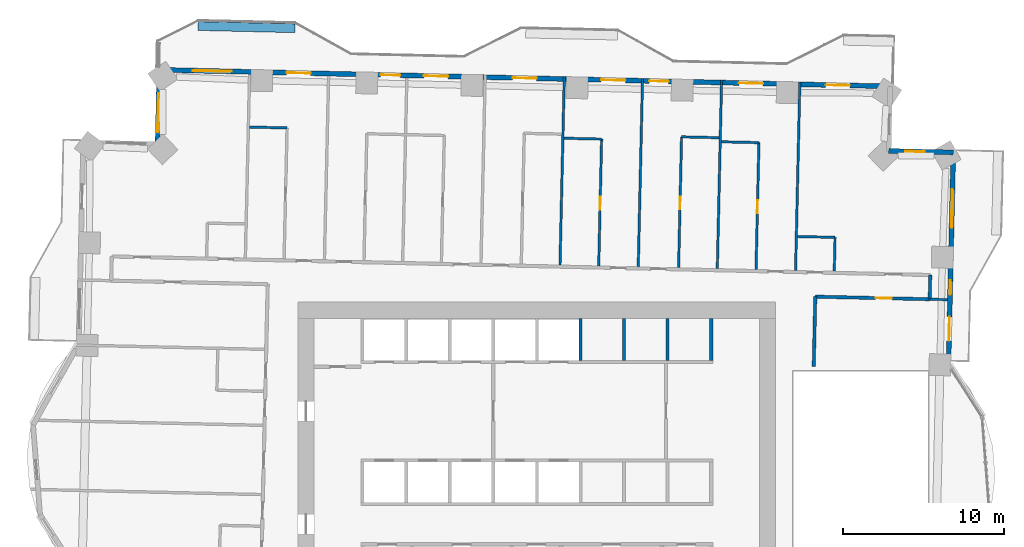
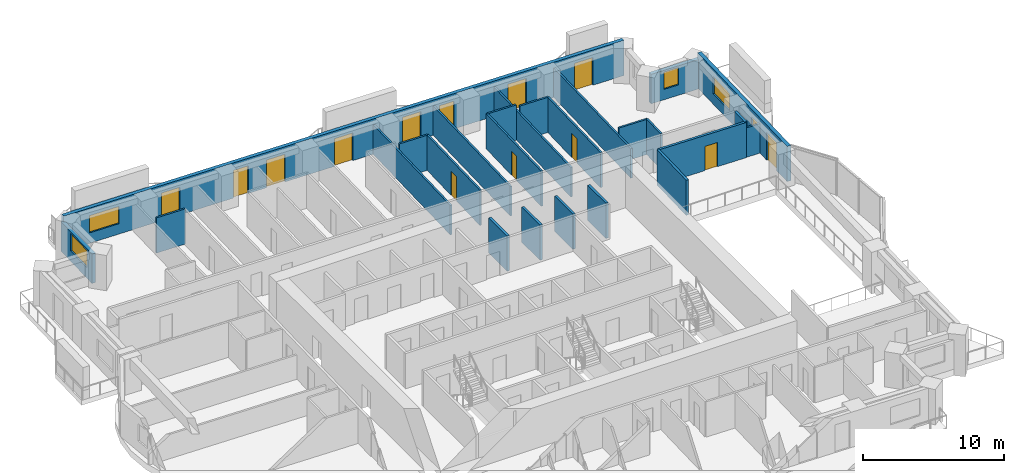
# One storey, part 11 of 16: 26 walls, 13 doors, 5 windows, 18 openings.
"""IFC4 building model written with IfcOpenShell, lengths in metres."""

from ifc_helpers import new_model, si_unit, direction, frame, frame_2d, origin, place, context, subcontext, project, spatial, rectangle, extrude, material, layer, layer_set, type_object, element, fill, save


model = new_model("IFC4")

# Units and contexts
model_context = context("Model", 3, precision=1e-05, world=origin(), true_north=direction((0.0, 1.0)))
body_context = subcontext(model_context, "Body", "Model", "MODEL_VIEW")
ifc_project = project(units=[si_unit("LENGTHUNIT", "METRE"), si_unit("AREAUNIT", "SQUARE_METRE"), si_unit("VOLUMEUNIT", "CUBIC_METRE"), si_unit("PLANEANGLEUNIT", "RADIAN"), si_unit("MASSUNIT", "GRAM", prefix="KILO")], contexts=[model_context])

# Site, building, storey
site_placement = place(None, origin())
site = spatial("IfcSite", under=ifc_project, at=site_placement, CompositionType="ELEMENT")
building_placement = place(site_placement, origin())
building = spatial("IfcBuilding", under=site, at=building_placement, Name="Mangrove Gate Tower", CompositionType="ELEMENT")
storey_placement = place(building_placement, frame((0.0, 0.0, 116.300048828125)))
storey = spatial("IfcBuildingStorey", under=building, at=storey_placement, Name="L29", CompositionType="ELEMENT", Elevation=116.300048828125)

# Walls
ifc_material_1 = material(Name="Concrete C70/85", Category="concrete")
ifc_layer_1 = layer(ifc_material_1, 0.199951171875)
ifc_layer_set_1 = layer_set([ifc_layer_1], Name="Core shaft wall 200 C70/85")
wall_type_1 = type_object("IfcWallType", Name="Core shaft wall 200 C70/85", PredefinedType="SHEAR", material=ifc_layer_set_1)
for number, where, z_axis, x_axis, name in (
    (1, (2.699951171875, 8.199951171875, 0.0), (0.0, 0.0, 1.0), (0.0, 1.0, 0.0), "WALL-L29-CORE-33"),
    (2, (5.39990234375, 8.199951171875, 0.0), (0.0, 0.0, 1.0), (0.0, 1.0, 0.0), "WALL-L29-CORE-34"),
    (3, (8.10009765625, 8.199951171875, 0.0), (0.0, 0.0, 1.0), (0.0, 1.0, 0.0), "WALL-L29-CORE-35"),
    (4, (10.800048828125, 8.199951171875, 0.0), (0.0, 0.0, 1.0), (0.0, 1.0, 0.0), "WALL-L29-CORE-36"),
):
    element("IfcWall", number, at=place(storey_placement, frame(where, z_axis=z_axis, x_axis=x_axis)), inside=storey, type_object=wall_type_1, Name=name, PredefinedType="SHEAR", context=body_context, shape_type="SweptSolid", body=[
        extrude(rectangle(XDim=2.60009765625, YDim=0.199951171875, at=frame_2d((1.300048828125, 0.0))), origin(), (0.0, 0.0, 1.0), 3.050048828125),
    ])
ifc_material_2 = material(Name="Gypsum board on steel stud, EI 60", Category="steel")
ifc_layer_2 = layer(ifc_material_2, 0.199951171875)
ifc_layer_set_2 = layer_set([ifc_layer_2], Name="Corridor wall EI 60")
wall_type_2 = type_object("IfcWallType", Name="Corridor wall EI 60", PredefinedType="PARTITIONING", material=ifc_layer_set_2)
wall_1_placement = place(storey_placement, frame((17.155029296875, 7.81396484375, 0.0), z_axis=(0.0, 0.0, 1.0), x_axis=(0.022578158225, 0.999745080894, 0.0)))
element("IfcWall", 5, at=wall_1_placement, inside=storey, type_object=wall_type_2, Name="WALL-L29-043", PredefinedType="PARTITIONING", context=body_context, shape_type="SweptSolid", body=[
    extrude(rectangle(XDim=4.336181640625, YDim=0.199951171875, at=frame_2d((2.16796875, 0.0))), origin(), (0.0, 0.0, 1.0), 3.050048828125),
])

# Wall, opening, door
wall_2_placement = place(storey_placement, frame((17.248046875, 12.14501953125, 0.0), z_axis=(0.0, 0.0, 1.0), x_axis=(0.999742350192, -0.022698749566, 0.0)))
wall_2 = element("IfcWall", 6, at=wall_2_placement, inside=storey, type_object=wall_type_2, Name="WALL-L29-047", PredefinedType="PARTITIONING", context=body_context, shape_type="SweptSolid", body=[
    extrude(rectangle(XDim=7.0986328125, YDim=0.199951171875, at=frame_2d((3.54931640625, 0.0))), origin(), (0.0, 0.0, 1.0), 3.050048828125),
])
opening_1_placement = place(wall_2_placement, frame((3.75, 0.0, 0.0)))
opening_1 = element("IfcOpeningElement", 7, at=opening_1_placement, cuts=wall_2, Name="Opening AD", PredefinedType="OPENING", context=body_context, shape_type="SweptSolid", body=[
    extrude(rectangle(XDim=1.0, YDim=2.10009765625, at=frame_2d((0.5, 1.050048828125))), frame((0.0, 0.10986328125, 0.0), z_axis=(0.0, -1.0, 0.0), x_axis=(1.0, 0.0, 0.0)), (0.0, 0.0, 1.0), 0.219970703125),
])
ifc_material_3 = material(Name="Timber door leaf", Category="wood")
door_type_1 = type_object("IfcDoorType", Name="Amenity door 1000", OperationType="SINGLE_SWING_LEFT", PredefinedType="DOOR", material=ifc_material_3)
door_1_placement = place(opening_1_placement, origin())
door_1 = element("IfcDoor", 8, at=door_1_placement, inside=storey, type_object=door_type_1, Name="DOOR-L29-LNG-c3a", OperationType="SINGLE_SWING_RIGHT", OverallHeight=2.10009765625, OverallWidth=1.0, PredefinedType="DOOR", context=body_context, shape_type="SweptSolid", body=[
    extrude(rectangle(XDim=1.0, YDim=2.10009765625, at=frame_2d((0.5, 1.050048828125))), frame((0.0, 0.02490234375, 0.0), z_axis=(0.0, -1.0, 0.0), x_axis=(1.0, 0.0, 0.0)), (0.0, 0.0, 1.0), 0.050048828125),
])
fill(opening_1, door_1)

# Wall
wall_3_placement = place(storey_placement, frame((24.341064453125, 11.988037109375, 0.0), z_axis=(0.0, 0.0, 1.0), x_axis=(0.022617910375, 0.999744182344, 0.0)))
element("IfcWall", 9, at=wall_3_placement, inside=storey, type_object=wall_type_2, Name="WALL-L29-050", PredefinedType="PARTITIONING", context=body_context, shape_type="SweptSolid", body=[
    extrude(rectangle(XDim=1.50048828125, YDim=0.199951171875, at=frame_2d((0.750244140625, 0.0))), origin(), (0.0, 0.0, 1.0), 3.050048828125),
])

# Wall, openings, door, windows
ifc_material_4 = material(Name="Limestone", Category="masonry")
ifc_layer_3 = layer(ifc_material_4, 0.0400390625, Name="Limestone cladding")
ifc_material_5 = material(Name="Ventilated air gap")
ifc_layer_4 = layer(ifc_material_5, 0.0400390625, Name="Ventilated cavity")
ifc_material_6 = material(Name="Mineral wool insulation")
ifc_layer_5 = layer(ifc_material_6, 0.06005859375, Name="Insulation")
ifc_material_7 = material(Name="Breather membrane")
ifc_layer_6 = layer(ifc_material_7, 0.001953125, Name="Breather membrane")
ifc_material_8 = material(Name="Concrete C20/25 blockwork", Category="masonry")
ifc_layer_7 = layer(ifc_material_8, 0.14990234375, Name="Blockwork backing wall")
ifc_material_9 = material(Name="Gypsum plaster")
ifc_layer_8 = layer(ifc_material_9, 0.008056640625, Name="Internal plaster")
ifc_layer_set_3 = layer_set([ifc_layer_3, ifc_layer_4, ifc_layer_5, ifc_layer_6, ifc_layer_7, ifc_layer_8], Name="External wall 300 limestone cladding")
wall_type_3 = type_object("IfcWallType", Name="External wall 300 limestone cladding", PredefinedType="SOLIDWALL", material=ifc_layer_set_3)
wall_4_placement = place(storey_placement, frame((25.501953125, 7.85693359375, 0.0), z_axis=(0.0, 0.0, 1.0), x_axis=(0.022680323815, 0.999742768372, 0.0)))
wall_4 = element("IfcWall", 10, at=wall_4_placement, inside=storey, type_object=wall_type_3, Name="WALL-L29-E2", PredefinedType="SOLIDWALL", context=body_context, shape_type="SweptSolid", body=[
    extrude(rectangle(XDim=13.2294921875, YDim=0.300048828125, at=frame_2d((6.61474609375, 0.0))), origin(), (0.0, 0.0, 1.0), 3.050048828125),
])
opening_2_placement = place(wall_4_placement, frame((1.5419921875, 0.0, 0.0)))
opening_2 = element("IfcOpeningElement", 11, at=opening_2_placement, cuts=wall_4, Name="Opening BD1", PredefinedType="OPENING", context=body_context, shape_type="SweptSolid", body=[
    extrude(rectangle(XDim=1.5, YDim=2.39990234375, at=frame_2d((0.75, 1.199951171875))), frame((0.0, 0.159912109375, 0.0), z_axis=(0.0, -1.0, 0.0), x_axis=(1.0, 0.0, 0.0)), (0.0, 0.0, 1.0), 0.320068359375),
])
opening_3_placement = place(wall_4_placement, frame((4.403076171875, 0.0, 0.89990234375)))
opening_3 = element("IfcOpeningElement", 12, at=opening_3_placement, cuts=wall_4, Name="Opening W5", PredefinedType="OPENING", context=body_context, shape_type="SweptSolid", body=[
    extrude(rectangle(XDim=0.89990234375, YDim=1.5, at=frame_2d((0.449951171875, 0.75))), frame((0.0, 0.159912109375, 0.0), z_axis=(0.0, -1.0, 0.0), x_axis=(1.0, 0.0, 0.0)), (0.0, 0.0, 1.0), 0.320068359375),
])
opening_4_placement = place(wall_4_placement, frame((8.549072265625, 0.0, 0.89990234375)))
opening_4 = element("IfcOpeningElement", 13, at=opening_4_placement, cuts=wall_4, Name="Opening W2", PredefinedType="OPENING", context=body_context, shape_type="SweptSolid", body=[
    extrude(rectangle(XDim=2.39990234375, YDim=1.5, at=frame_2d((1.199951171875, 0.75))), frame((0.0, 0.159912109375, 0.0), z_axis=(0.0, -1.0, 0.0), x_axis=(1.0, 0.0, 0.0)), (0.0, 0.0, 1.0), 0.320068359375),
])
ifc_material_10 = material(Name="Aluminium frame with laminated clear glass", Category="aluminium")
door_type_2 = type_object("IfcDoorType", Name="Balcony sliding door 1500x2400", OperationType="SLIDING_TO_LEFT", PredefinedType="DOOR", material=ifc_material_10)
door_2_placement = place(opening_2_placement, origin())
door_2 = element("IfcDoor", 14, at=door_2_placement, inside=storey, type_object=door_type_2, Name="DOOR-L29-E2-1", OperationType="SLIDING_TO_LEFT", OverallHeight=2.39990234375, OverallWidth=1.5, PredefinedType="DOOR", context=body_context, shape_type="SweptSolid", body=[
    extrude(rectangle(XDim=1.5, YDim=2.39990234375, at=frame_2d((0.75, 1.199951171875))), frame((0.0, 0.02490234375, 0.0), z_axis=(0.0, -1.0, 0.0), x_axis=(1.0, 0.0, 0.0)), (0.0, 0.0, 1.0), 0.050048828125),
])
fill(opening_2, door_2)
ifc_material_11 = material(Name="Aluminium frame with double-glazed low-e glass", Category="aluminium")
window_type_1 = type_object("IfcWindowType", Name="Corner room window 2400x1500", PartitioningType="DOUBLE_PANEL_VERTICAL", PredefinedType="WINDOW", material=ifc_material_11)
window_1_placement = place(opening_4_placement, origin())
window_1 = element("IfcWindow", 15, at=window_1_placement, inside=storey, type_object=window_type_1, Name="WIN-L29-E2-3", OverallHeight=1.5, OverallWidth=2.39990234375, PartitioningType="DOUBLE_PANEL_VERTICAL", PredefinedType="WINDOW", context=body_context, shape_type="SweptSolid", body=[
    extrude(rectangle(XDim=2.39990234375, YDim=1.5, at=frame_2d((1.199951171875, 0.75))), frame((0.0, 0.030029296875, 0.0), z_axis=(0.0, -1.0, 0.0), x_axis=(1.0, 0.0, 0.0)), (0.0, 0.0, 1.0), 0.06005859375),
])
fill(opening_4, window_1)
ifc_material_12 = material(Name="Aluminium frame with double-glazed low-e glass", Category="aluminium")
window_type_2 = type_object("IfcWindowType", Name="Narrow window 900x1500", PartitioningType="SINGLE_PANEL", PredefinedType="WINDOW", material=ifc_material_12)
window_2_placement = place(opening_3_placement, origin())
window_2 = element("IfcWindow", 16, at=window_2_placement, inside=storey, type_object=window_type_2, Name="WIN-L29-E2-2", OverallHeight=1.5, OverallWidth=0.89990234375, PartitioningType="SINGLE_PANEL", PredefinedType="WINDOW", context=body_context, shape_type="SweptSolid", body=[
    extrude(rectangle(XDim=0.89990234375, YDim=1.5, at=frame_2d((0.449951171875, 0.75))), frame((0.0, 0.030029296875, 0.0), z_axis=(0.0, -1.0, 0.0), x_axis=(1.0, 0.0, 0.0)), (0.0, 0.0, 1.0), 0.06005859375),
])
fill(opening_3, window_2)

# Wall, opening, window
wall_5_placement = place(storey_placement, frame((25.802001953125, 21.0830078125, 0.0), z_axis=(0.0, 0.0, 1.0), x_axis=(-0.999740826251, 0.022765770952, 0.0)))
wall_5 = element("IfcWall", 17, at=wall_5_placement, inside=storey, type_object=wall_type_3, Name="WALL-L29-N3", PredefinedType="SOLIDWALL", context=body_context, shape_type="SweptSolid", body=[
    extrude(rectangle(XDim=4.0, YDim=0.300048828125, at=frame_2d((2.0, 0.0))), origin(), (0.0, 0.0, 1.0), 2.550048828125),
])
opening_5_placement = place(wall_5_placement, frame((1.763916015625, 0.0, 0.89990234375)))
opening_5 = element("IfcOpeningElement", 18, at=opening_5_placement, cuts=wall_5, Name="Opening W1", PredefinedType="OPENING", context=body_context, shape_type="SweptSolid", body=[
    extrude(rectangle(XDim=1.199951171875, YDim=1.5, at=frame_2d((0.60009765625, 0.75))), frame((0.0, 0.159912109375, 0.0), z_axis=(0.0, -1.0, 0.0), x_axis=(1.0, 0.0, 0.0)), (0.0, 0.0, 1.0), 0.320068359375),
])
ifc_material_13 = material(Name="Aluminium frame with double-glazed low-e glass", Category="aluminium")
window_type_3 = type_object("IfcWindowType", Name="Side lite 1200x1500", PartitioningType="SINGLE_PANEL", PredefinedType="WINDOW", material=ifc_material_13)
window_3_placement = place(opening_5_placement, origin())
window_3 = element("IfcWindow", 19, at=window_3_placement, inside=storey, type_object=window_type_3, Name="WIN-L29-N3-1", OverallHeight=1.5, OverallWidth=1.199951171875, PartitioningType="SINGLE_PANEL", PredefinedType="WINDOW", context=body_context, shape_type="SweptSolid", body=[
    extrude(rectangle(XDim=1.199951171875, YDim=1.5, at=frame_2d((0.60009765625, 0.75))), frame((0.0, 0.030029296875, 0.0), z_axis=(0.0, -1.0, 0.0), x_axis=(1.0, 0.0, 0.0)), (0.0, 0.0, 1.0), 0.06005859375),
])
fill(opening_5, window_3)

# Wall, openings, doors, window
wall_6_placement = place(storey_placement, frame((21.89404296875, 25.173095703125, 0.0), z_axis=(0.0, 0.0, 1.0), x_axis=(-0.999742661083, 0.022685052594, 0.0)))
wall_6 = element("IfcWall", 20, at=wall_6_placement, inside=storey, type_object=wall_type_3, Name="WALL-L29-N5", PredefinedType="SOLIDWALL", context=body_context, shape_type="SweptSolid", body=[
    extrude(rectangle(XDim=45.308837890625, YDim=0.300048828125, at=frame_2d((22.654296875, 0.0))), origin(), (0.0, 0.0, 1.0), 3.050048828125),
])
opening_6_placement = place(wall_6_placement, frame((2.4951171875, 0.0, 0.0)))
opening_6 = element("IfcOpeningElement", 21, at=opening_6_placement, cuts=wall_6, Name="Opening BD1", PredefinedType="OPENING", context=body_context, shape_type="SweptSolid", body=[
    extrude(rectangle(XDim=1.5, YDim=2.39990234375, at=frame_2d((0.75, 1.199951171875))), frame((0.0, 0.159912109375, 0.0), z_axis=(0.0, -1.0, 0.0), x_axis=(1.0, 0.0, 0.0)), (0.0, 0.0, 1.0), 0.320068359375),
])
opening_7_placement = place(wall_6_placement, frame((7.8740234375, 0.0, 0.0)))
opening_7 = element("IfcOpeningElement", 22, at=opening_7_placement, cuts=wall_6, Name="Opening BD1", PredefinedType="OPENING", context=body_context, shape_type="SweptSolid", body=[
    extrude(rectangle(XDim=1.5, YDim=2.39990234375, at=frame_2d((0.75, 1.199951171875))), frame((0.0, 0.159912109375, 0.0), z_axis=(0.0, -1.0, 0.0), x_axis=(1.0, 0.0, 0.0)), (0.0, 0.0, 1.0), 0.320068359375),
])
opening_8_placement = place(wall_6_placement, frame((13.73193359375, 0.0, 0.0)))
opening_8 = element("IfcOpeningElement", 23, at=opening_8_placement, cuts=wall_6, Name="Opening BD2", PredefinedType="OPENING", context=body_context, shape_type="SweptSolid", body=[
    extrude(rectangle(XDim=1.199951171875, YDim=2.39990234375, at=frame_2d((0.60009765625, 1.199951171875))), frame((0.0, 0.159912109375, 0.0), z_axis=(0.0, -1.0, 0.0), x_axis=(1.0, 0.0, 0.0)), (0.0, 0.0, 1.0), 0.320068359375),
])
opening_9_placement = place(wall_6_placement, frame((16.4150390625, 0.0, 0.0)))
opening_9 = element("IfcOpeningElement", 24, at=opening_9_placement, cuts=wall_6, Name="Opening BD1", PredefinedType="OPENING", context=body_context, shape_type="SweptSolid", body=[
    extrude(rectangle(XDim=1.5, YDim=2.39990234375, at=frame_2d((0.75, 1.199951171875))), frame((0.0, 0.159912109375, 0.0), z_axis=(0.0, -1.0, 0.0), x_axis=(1.0, 0.0, 0.0)), (0.0, 0.0, 1.0), 0.320068359375),
])
opening_10_placement = place(wall_6_placement, frame((21.907958984375, 0.0, 0.0)))
opening_10 = element("IfcOpeningElement", 25, at=opening_10_placement, cuts=wall_6, Name="Opening BD1", PredefinedType="OPENING", context=body_context, shape_type="SweptSolid", body=[
    extrude(rectangle(XDim=1.5, YDim=2.39990234375, at=frame_2d((0.75, 1.199951171875))), frame((0.0, 0.159912109375, 0.0), z_axis=(0.0, -1.0, 0.0), x_axis=(1.0, 0.0, 0.0)), (0.0, 0.0, 1.0), 0.320068359375),
])
opening_11_placement = place(wall_6_placement, frame((27.39697265625, 0.0, 0.0)))
opening_11 = element("IfcOpeningElement", 26, at=opening_11_placement, cuts=wall_6, Name="Opening BD1", PredefinedType="OPENING", context=body_context, shape_type="SweptSolid", body=[
    extrude(rectangle(XDim=1.5, YDim=2.39990234375, at=frame_2d((0.75, 1.199951171875))), frame((0.0, 0.159912109375, 0.0), z_axis=(0.0, -1.0, 0.0), x_axis=(1.0, 0.0, 0.0)), (0.0, 0.0, 1.0), 0.320068359375),
])
opening_12_placement = place(wall_6_placement, frame((30.3798828125, 0.0, 0.0)))
opening_12 = element("IfcOpeningElement", 27, at=opening_12_placement, cuts=wall_6, Name="Opening BD2", PredefinedType="OPENING", context=body_context, shape_type="SweptSolid", body=[
    extrude(rectangle(XDim=1.199951171875, YDim=2.39990234375, at=frame_2d((0.60009765625, 1.199951171875))), frame((0.0, 0.159912109375, 0.0), z_axis=(0.0, -1.0, 0.0), x_axis=(1.0, 0.0, 0.0)), (0.0, 0.0, 1.0), 0.320068359375),
])
opening_13_placement = place(wall_6_placement, frame((35.9130859375, 0.0, 0.0)))
opening_13 = element("IfcOpeningElement", 28, at=opening_13_placement, cuts=wall_6, Name="Opening BD1", PredefinedType="OPENING", context=body_context, shape_type="SweptSolid", body=[
    extrude(rectangle(XDim=1.5, YDim=2.39990234375, at=frame_2d((0.75, 1.199951171875))), frame((0.0, 0.159912109375, 0.0), z_axis=(0.0, -1.0, 0.0), x_axis=(1.0, 0.0, 0.0)), (0.0, 0.0, 1.0), 0.320068359375),
])
opening_14_placement = place(wall_6_placement, frame((40.818115234375, 0.0, 0.89990234375)))
opening_14 = element("IfcOpeningElement", 29, at=opening_14_placement, cuts=wall_6, Name="Opening W2", PredefinedType="OPENING", context=body_context, shape_type="SweptSolid", body=[
    extrude(rectangle(XDim=2.39990234375, YDim=1.5, at=frame_2d((1.199951171875, 0.75))), frame((0.0, 0.159912109375, 0.0), z_axis=(0.0, -1.0, 0.0), x_axis=(1.0, 0.0, 0.0)), (0.0, 0.0, 1.0), 0.320068359375),
])
ifc_material_14 = material(Name="Aluminium frame with laminated clear glass", Category="aluminium")
door_type_3 = type_object("IfcDoorType", Name="Balcony sliding door 1200x2400", OperationType="SLIDING_TO_LEFT", PredefinedType="DOOR", material=ifc_material_14)
door_3_placement = place(opening_8_placement, origin())
door_3 = element("IfcDoor", 30, at=door_3_placement, inside=storey, type_object=door_type_3, Name="DOOR-L29-N5-3", OperationType="SLIDING_TO_LEFT", OverallHeight=2.39990234375, OverallWidth=1.199951171875, PredefinedType="DOOR", context=body_context, shape_type="SweptSolid", body=[
    extrude(rectangle(XDim=1.199951171875, YDim=2.39990234375, at=frame_2d((0.60009765625, 1.199951171875))), frame((0.0, 0.02490234375, 0.0), z_axis=(0.0, -1.0, 0.0), x_axis=(1.0, 0.0, 0.0)), (0.0, 0.0, 1.0), 0.050048828125),
])
fill(opening_8, door_3)
door_4_placement = place(opening_12_placement, origin())
door_4 = element("IfcDoor", 31, at=door_4_placement, inside=storey, type_object=door_type_3, Name="DOOR-L29-N5-7", OperationType="SLIDING_TO_LEFT", OverallHeight=2.39990234375, OverallWidth=1.199951171875, PredefinedType="DOOR", context=body_context, shape_type="SweptSolid", body=[
    extrude(rectangle(XDim=1.199951171875, YDim=2.39990234375, at=frame_2d((0.60009765625, 1.199951171875))), frame((0.0, 0.02490234375, 0.0), z_axis=(0.0, -1.0, 0.0), x_axis=(1.0, 0.0, 0.0)), (0.0, 0.0, 1.0), 0.050048828125),
])
fill(opening_12, door_4)
door_5_placement = place(opening_6_placement, origin())
door_5 = element("IfcDoor", 32, at=door_5_placement, inside=storey, type_object=door_type_2, Name="DOOR-L29-N5-1", OperationType="SLIDING_TO_LEFT", OverallHeight=2.39990234375, OverallWidth=1.5, PredefinedType="DOOR", context=body_context, shape_type="SweptSolid", body=[
    extrude(rectangle(XDim=1.5, YDim=2.39990234375, at=frame_2d((0.75, 1.199951171875))), frame((0.0, 0.02490234375, 0.0), z_axis=(0.0, -1.0, 0.0), x_axis=(1.0, 0.0, 0.0)), (0.0, 0.0, 1.0), 0.050048828125),
])
fill(opening_6, door_5)
door_6_placement = place(opening_7_placement, origin())
door_6 = element("IfcDoor", 33, at=door_6_placement, inside=storey, type_object=door_type_2, Name="DOOR-L29-N5-2", OperationType="SLIDING_TO_LEFT", OverallHeight=2.39990234375, OverallWidth=1.5, PredefinedType="DOOR", context=body_context, shape_type="SweptSolid", body=[
    extrude(rectangle(XDim=1.5, YDim=2.39990234375, at=frame_2d((0.75, 1.199951171875))), frame((0.0, 0.02490234375, 0.0), z_axis=(0.0, -1.0, 0.0), x_axis=(1.0, 0.0, 0.0)), (0.0, 0.0, 1.0), 0.050048828125),
])
fill(opening_7, door_6)
door_7_placement = place(opening_9_placement, origin())
door_7 = element("IfcDoor", 34, at=door_7_placement, inside=storey, type_object=door_type_2, Name="DOOR-L29-N5-4", OperationType="SLIDING_TO_LEFT", OverallHeight=2.39990234375, OverallWidth=1.5, PredefinedType="DOOR", context=body_context, shape_type="SweptSolid", body=[
    extrude(rectangle(XDim=1.5, YDim=2.39990234375, at=frame_2d((0.75, 1.199951171875))), frame((0.0, 0.02490234375, 0.0), z_axis=(0.0, -1.0, 0.0), x_axis=(1.0, 0.0, 0.0)), (0.0, 0.0, 1.0), 0.050048828125),
])
fill(opening_9, door_7)
door_8_placement = place(opening_10_placement, origin())
door_8 = element("IfcDoor", 35, at=door_8_placement, inside=storey, type_object=door_type_2, Name="DOOR-L29-N5-5", OperationType="SLIDING_TO_LEFT", OverallHeight=2.39990234375, OverallWidth=1.5, PredefinedType="DOOR", context=body_context, shape_type="SweptSolid", body=[
    extrude(rectangle(XDim=1.5, YDim=2.39990234375, at=frame_2d((0.75, 1.199951171875))), frame((0.0, 0.02490234375, 0.0), z_axis=(0.0, -1.0, 0.0), x_axis=(1.0, 0.0, 0.0)), (0.0, 0.0, 1.0), 0.050048828125),
])
fill(opening_10, door_8)
door_9_placement = place(opening_11_placement, origin())
door_9 = element("IfcDoor", 36, at=door_9_placement, inside=storey, type_object=door_type_2, Name="DOOR-L29-N5-6", OperationType="SLIDING_TO_LEFT", OverallHeight=2.39990234375, OverallWidth=1.5, PredefinedType="DOOR", context=body_context, shape_type="SweptSolid", body=[
    extrude(rectangle(XDim=1.5, YDim=2.39990234375, at=frame_2d((0.75, 1.199951171875))), frame((0.0, 0.02490234375, 0.0), z_axis=(0.0, -1.0, 0.0), x_axis=(1.0, 0.0, 0.0)), (0.0, 0.0, 1.0), 0.050048828125),
])
fill(opening_11, door_9)
door_10_placement = place(opening_13_placement, origin())
door_10 = element("IfcDoor", 37, at=door_10_placement, inside=storey, type_object=door_type_2, Name="DOOR-L29-N5-8", OperationType="SLIDING_TO_LEFT", OverallHeight=2.39990234375, OverallWidth=1.5, PredefinedType="DOOR", context=body_context, shape_type="SweptSolid", body=[
    extrude(rectangle(XDim=1.5, YDim=2.39990234375, at=frame_2d((0.75, 1.199951171875))), frame((0.0, 0.02490234375, 0.0), z_axis=(0.0, -1.0, 0.0), x_axis=(1.0, 0.0, 0.0)), (0.0, 0.0, 1.0), 0.050048828125),
])
fill(opening_13, door_10)
window_4_placement = place(opening_14_placement, origin())
window_4 = element("IfcWindow", 38, at=window_4_placement, inside=storey, type_object=window_type_1, Name="WIN-L29-N5-9", OverallHeight=1.5, OverallWidth=2.39990234375, PartitioningType="DOUBLE_PANEL_VERTICAL", PredefinedType="WINDOW", context=body_context, shape_type="SweptSolid", body=[
    extrude(rectangle(XDim=2.39990234375, YDim=1.5, at=frame_2d((1.199951171875, 0.75))), frame((0.0, 0.030029296875, 0.0), z_axis=(0.0, -1.0, 0.0), x_axis=(1.0, 0.0, 0.0)), (0.0, 0.0, 1.0), 0.06005859375),
])
fill(opening_14, window_4)

# Wall, opening, window
wall_7_placement = place(storey_placement, frame((-23.403076171875, 26.200927734375, 0.0), z_axis=(0.0, 0.0, 1.0), x_axis=(-0.022609285172, -0.999744377441, 0.0)))
wall_7 = element("IfcWall", 39, at=wall_7_placement, inside=storey, type_object=wall_type_3, Name="WALL-L29-W6", PredefinedType="SOLIDWALL", context=body_context, shape_type="SweptSolid", body=[
    extrude(rectangle(XDim=4.60009765625, YDim=0.300048828125, at=frame_2d((2.300048828125, 0.0))), origin(), (0.0, 0.0, 1.0), 2.550048828125),
])
opening_15_placement = place(wall_7_placement, frame((1.45703125, 0.0, 0.89990234375)))
opening_15 = element("IfcOpeningElement", 40, at=opening_15_placement, cuts=wall_7, Name="Opening W2", PredefinedType="OPENING", context=body_context, shape_type="SweptSolid", body=[
    extrude(rectangle(XDim=2.39990234375, YDim=1.5, at=frame_2d((1.199951171875, 0.75))), frame((0.0, 0.159912109375, 0.0), z_axis=(0.0, -1.0, 0.0), x_axis=(1.0, 0.0, 0.0)), (0.0, 0.0, 1.0), 0.320068359375),
])
window_5_placement = place(opening_15_placement, origin())
window_5 = element("IfcWindow", 41, at=window_5_placement, inside=storey, type_object=window_type_1, Name="WIN-L29-W6-1", OverallHeight=1.5, OverallWidth=2.39990234375, PartitioningType="DOUBLE_PANEL_VERTICAL", PredefinedType="WINDOW", context=body_context, shape_type="SweptSolid", body=[
    extrude(rectangle(XDim=2.39990234375, YDim=1.5, at=frame_2d((1.199951171875, 0.75))), frame((0.0, 0.030029296875, 0.0), z_axis=(0.0, -1.0, 0.0), x_axis=(1.0, 0.0, 0.0)), (0.0, 0.0, 1.0), 0.06005859375),
])
fill(opening_15, window_5)

# Walls
ifc_material_15 = material(Name="Gypsum board on steel stud, EI 60", Category="steel")
ifc_layer_9 = layer(ifc_material_15, 0.14990234375)
ifc_layer_set_4 = layer_set([ifc_layer_9], Name="Party wall 150 EI 60")
wall_type_4 = type_object("IfcWallType", Name="Party wall 150 EI 60", PredefinedType="PARTITIONING", material=ifc_layer_set_4)
wall_8_placement = place(storey_placement, frame((24.344970703125, 11.98388671875, 0.0), z_axis=(0.0, 0.0, 1.0), x_axis=(0.9997438932, -0.022630687329, 0.0)))
element("IfcWall", 42, at=wall_8_placement, inside=storey, type_object=wall_type_4, Name="WALL-L29-048", PredefinedType="PARTITIONING", context=body_context, shape_type="SweptSolid", body=[
    extrude(rectangle(XDim=1.100341796875, YDim=0.14990234375, at=frame_2d((0.55029296875, 0.0))), origin(), (0.0, 0.0, 1.0), 2.550048828125),
])
wall_9_placement = place(storey_placement, frame((1.43310546875, 14.10791015625, 0.0), z_axis=(0.0, 0.0, 1.0), x_axis=(0.022686732602, 0.99974262296, 0.0)))
element("IfcWall", 43, at=wall_9_placement, inside=storey, type_object=wall_type_4, Name="WALL-L29-061", PredefinedType="PARTITIONING", context=body_context, shape_type="SweptSolid", body=[
    extrude(rectangle(XDim=11.676025390625, YDim=0.14990234375, at=frame_2d((5.837890625, 0.0))), origin(), (0.0, 0.0, 1.0), 2.550048828125),
])

# Wall, opening, door
wall_10_placement = place(storey_placement, frame((3.8330078125, 14.053955078125, 0.0), z_axis=(0.0, 0.0, 1.0), x_axis=(0.022643088621, 0.999743612402, 0.0)))
wall_10 = element("IfcWall", 44, at=wall_10_placement, inside=storey, type_object=wall_type_4, Name="WALL-L29-062", PredefinedType="PARTITIONING", context=body_context, shape_type="SweptSolid", body=[
    extrude(rectangle(XDim=7.860107421875, YDim=0.14990234375, at=frame_2d((3.93017578125, 0.0))), origin(), (0.0, 0.0, 1.0), 3.050048828125),
])
opening_16_placement = place(wall_10_placement, frame((3.47998046875, 0.0, 0.0)))
opening_16 = element("IfcOpeningElement", 45, at=opening_16_placement, cuts=wall_10, Name="Opening ED", PredefinedType="OPENING", context=body_context, shape_type="SweptSolid", body=[
    extrude(rectangle(XDim=0.800048828125, YDim=2.10009765625, at=frame_2d((0.39990234375, 1.050048828125))), frame((0.0, 0.0849609375, 0.0), z_axis=(0.0, -1.0, 0.0), x_axis=(1.0, 0.0, 0.0)), (0.0, 0.0, 1.0), 0.169921875),
])
ifc_material_16 = material(Name="Timber door leaf", Category="wood")
door_type_4 = type_object("IfcDoorType", Name="En-suite door 800", OperationType="SINGLE_SWING_LEFT", PredefinedType="DOOR", material=ifc_material_16)
door_11_placement = place(opening_16_placement, origin())
door_11 = element("IfcDoor", 46, at=door_11_placement, inside=storey, type_object=door_type_4, Name="DOOR-L29-ENS-c411", OperationType="SINGLE_SWING_LEFT", OverallHeight=2.10009765625, OverallWidth=0.800048828125, PredefinedType="DOOR", context=body_context, shape_type="SweptSolid", body=[
    extrude(rectangle(XDim=0.800048828125, YDim=2.10009765625, at=frame_2d((0.39990234375, 1.050048828125))), frame((0.0, 0.02490234375, 0.0), z_axis=(0.0, -1.0, 0.0), x_axis=(1.0, 0.0, 0.0)), (0.0, 0.0, 1.0), 0.050048828125),
])
fill(opening_16, door_11)

# Wall
wall_11_placement = place(storey_placement, frame((6.281982421875, 13.998046875, 0.0), z_axis=(0.0, 0.0, 1.0), x_axis=(0.022708105947, 0.999742137716, 0.0)))
element("IfcWall", 47, at=wall_11_placement, inside=storey, type_object=wall_type_4, Name="WALL-L29-063", PredefinedType="PARTITIONING", context=body_context, shape_type="SweptSolid", body=[
    extrude(rectangle(XDim=11.67578125, YDim=0.14990234375, at=frame_2d((5.837890625, 0.0))), origin(), (0.0, 0.0, 1.0), 2.550048828125),
])

# Wall, opening, door
wall_12_placement = place(storey_placement, frame((8.781982421875, 13.94189453125, 0.0), z_axis=(0.0, 0.0, 1.0), x_axis=(0.022697472341, 0.99974237919, 0.0)))
wall_12 = element("IfcWall", 48, at=wall_12_placement, inside=storey, type_object=wall_type_4, Name="WALL-L29-064", PredefinedType="PARTITIONING", context=body_context, shape_type="SweptSolid", body=[
    extrude(rectangle(XDim=8.1103515625, YDim=0.14990234375, at=frame_2d((4.05517578125, 0.0))), origin(), (0.0, 0.0, 1.0), 3.050048828125),
])
opening_17_placement = place(wall_12_placement, frame((3.60498046875, 0.0, 0.0)))
opening_17 = element("IfcOpeningElement", 49, at=opening_17_placement, cuts=wall_12, Name="Opening ED", PredefinedType="OPENING", context=body_context, shape_type="SweptSolid", body=[
    extrude(rectangle(XDim=0.800048828125, YDim=2.10009765625, at=frame_2d((0.39990234375, 1.050048828125))), frame((0.0, 0.0849609375, 0.0), z_axis=(0.0, -1.0, 0.0), x_axis=(1.0, 0.0, 0.0)), (0.0, 0.0, 1.0), 0.169921875),
])
door_12_placement = place(opening_17_placement, origin())
door_12 = element("IfcDoor", 50, at=door_12_placement, inside=storey, type_object=door_type_4, Name="DOOR-L29-ENS-c410", OperationType="SINGLE_SWING_RIGHT", OverallHeight=2.10009765625, OverallWidth=0.800048828125, PredefinedType="DOOR", context=body_context, shape_type="SweptSolid", body=[
    extrude(rectangle(XDim=0.800048828125, YDim=2.10009765625, at=frame_2d((0.39990234375, 1.050048828125))), frame((0.0, 0.02490234375, 0.0), z_axis=(0.0, -1.0, 0.0), x_axis=(1.0, 0.0, 0.0)), (0.0, 0.0, 1.0), 0.050048828125),
])
fill(opening_17, door_12)

# Wall
wall_13_placement = place(storey_placement, frame((11.180908203125, 13.886962890625, 0.0), z_axis=(0.0, 0.0, 1.0), x_axis=(0.022707631257, 0.999742148498, 0.0)))
element("IfcWall", 51, at=wall_13_placement, inside=storey, type_object=wall_type_4, Name="WALL-L29-065", PredefinedType="PARTITIONING", context=body_context, shape_type="SweptSolid", body=[
    extrude(rectangle(XDim=11.676025390625, YDim=0.14990234375, at=frame_2d((5.837890625, 0.0))), origin(), (0.0, 0.0, 1.0), 2.550048828125),
])

# Wall, opening, door
wall_14_placement = place(storey_placement, frame((13.580078125, 13.8330078125, 0.0), z_axis=(0.0, 0.0, 1.0), x_axis=(0.022767973308, 0.999740776097, 0.0)))
wall_14 = element("IfcWall", 52, at=wall_14_placement, inside=storey, type_object=wall_type_4, Name="WALL-L29-066", PredefinedType="PARTITIONING", context=body_context, shape_type="SweptSolid", body=[
    extrude(rectangle(XDim=7.85986328125, YDim=0.14990234375, at=frame_2d((3.929931640625, 0.0))), origin(), (0.0, 0.0, 1.0), 3.050048828125),
])
opening_18_placement = place(wall_14_placement, frame((3.47998046875, 0.0, 0.0)))
opening_18 = element("IfcOpeningElement", 53, at=opening_18_placement, cuts=wall_14, Name="Opening ED", PredefinedType="OPENING", context=body_context, shape_type="SweptSolid", body=[
    extrude(rectangle(XDim=0.800048828125, YDim=2.10009765625, at=frame_2d((0.39990234375, 1.050048828125))), frame((0.0, 0.0849609375, 0.0), z_axis=(0.0, -1.0, 0.0), x_axis=(1.0, 0.0, 0.0)), (0.0, 0.0, 1.0), 0.169921875),
])
door_13_placement = place(opening_18_placement, origin())
door_13 = element("IfcDoor", 54, at=door_13_placement, inside=storey, type_object=door_type_4, Name="DOOR-L29-ENS-c309", OperationType="SINGLE_SWING_LEFT", OverallHeight=2.10009765625, OverallWidth=0.800048828125, PredefinedType="DOOR", context=body_context, shape_type="SweptSolid", body=[
    extrude(rectangle(XDim=0.800048828125, YDim=2.10009765625, at=frame_2d((0.39990234375, 1.050048828125))), frame((0.0, 0.02490234375, 0.0), z_axis=(0.0, -1.0, 0.0), x_axis=(1.0, 0.0, 0.0)), (0.0, 0.0, 1.0), 0.050048828125),
])
fill(opening_18, door_13)

# Walls
wall_15_placement = place(storey_placement, frame((16.030029296875, 13.777099609375, 0.0), z_axis=(0.0, 0.0, 1.0), x_axis=(0.022687206857, 0.999742612198, 0.0)))
element("IfcWall", 55, at=wall_15_placement, inside=storey, type_object=wall_type_4, Name="WALL-L29-067", PredefinedType="PARTITIONING", context=body_context, shape_type="SweptSolid", body=[
    extrude(rectangle(XDim=11.67578125, YDim=0.14990234375, at=frame_2d((5.837890625, 0.0))), origin(), (0.0, 0.0, 1.0), 2.550048828125),
])
wall_16_placement = place(storey_placement, frame((18.428955078125, 13.722900390625, 0.0), z_axis=(0.0, 0.0, 1.0), x_axis=(0.022906293375, 0.999737616439, 0.0)))
element("IfcWall", 56, at=wall_16_placement, inside=storey, type_object=wall_type_4, Name="WALL-L29-068", PredefinedType="PARTITIONING", context=body_context, shape_type="SweptSolid", body=[
    extrude(rectangle(XDim=2.099609375, YDim=0.14990234375, at=frame_2d((1.0498046875, 0.0))), origin(), (0.0, 0.0, 1.0), 3.050048828125),
])
wall_17_placement = place(storey_placement, frame((16.14794921875, 15.87109375, 0.0), z_axis=(0.0, 0.0, 1.0), x_axis=(0.999740478815, -0.022781023197, 0.0)))
element("IfcWall", 57, at=wall_17_placement, inside=storey, type_object=wall_type_4, Name="WALL-L29-070", PredefinedType="PARTITIONING", context=body_context, shape_type="SweptSolid", body=[
    extrude(rectangle(XDim=2.325439453125, YDim=0.14990234375, at=frame_2d((1.16259765625, 0.0))), origin(), (0.0, 0.0, 1.0), 3.050048828125),
])
wall_18_placement = place(storey_placement, frame((1.68310546875, 21.9609375, 0.0), z_axis=(0.0, 0.0, 1.0), x_axis=(0.999740260747, -0.02279059109, 0.0)))
element("IfcWall", 58, at=wall_18_placement, inside=storey, type_object=wall_type_4, Name="WALL-L29-072", PredefinedType="PARTITIONING", context=body_context, shape_type="SweptSolid", body=[
    extrude(rectangle(XDim=2.324462890625, YDim=0.14990234375, at=frame_2d((1.162109375, 0.0))), origin(), (0.0, 0.0, 1.0), 3.050048828125),
])
for number, where, z_axis, x_axis, name in (
    (59, (11.429931640625, 21.739990234375, 0.0), (0.0, 0.0, 1.0), (0.999740478815, -0.022781023197, 0.0), "WALL-L29-073"),
    (60, (-17.806884765625, 22.653076171875, 0.0), (0.0, 0.0, 1.0), (0.999740478815, -0.022781023197, 0.0), "WALL-L29-074"),
    (61, (8.9609375, 22.0458984375, 0.0), (0.0, 0.0, 1.0), (0.999740478815, -0.022781023197, 0.0), "WALL-L29-076"),
):
    element("IfcWall", number, at=place(storey_placement, frame(where, z_axis=z_axis, x_axis=x_axis)), inside=storey, type_object=wall_type_4, Name=name, PredefinedType="PARTITIONING", context=body_context, shape_type="SweptSolid", body=[
        extrude(rectangle(XDim=2.325439453125, YDim=0.14990234375, at=frame_2d((1.16259765625, 0.0))), origin(), (0.0, 0.0, 1.0), 3.050048828125),
    ])
ifc_material_17 = material(Name="Concrete C32/40", Category="concrete")
ifc_layer_10 = layer(ifc_material_17, 0.199951171875, Name="Planter trough wall")
ifc_material_18 = material(Name="Bituminous waterproofing membrane")
ifc_layer_11 = layer(ifc_material_18, 0.0048828125, Name="Waterproofing")
ifc_material_19 = material(Name="Drainage board and gravel")
ifc_layer_12 = layer(ifc_material_19, 0.044921875, Name="Drainage layer")
ifc_material_20 = material(Name="Planting soil")
ifc_layer_13 = layer(ifc_material_20, 0.300048828125, Name="Growing medium")
ifc_layer_set_5 = layer_set([ifc_layer_10, ifc_layer_11, ifc_layer_12, ifc_layer_13], Name="Planter wall 550 C32/40")
wall_type_5 = type_object("IfcWallType", Name="Planter wall 550 C32/40", PredefinedType="USERDEFINED", material=ifc_layer_set_5)
wall_19_placement = place(storey_placement, frame((-20.986083984375, 28.912109375, 0.0), z_axis=(0.0, 0.0, 1.0), x_axis=(0.999742171567, -0.022706615587, 0.0)))
element("IfcWall", 62, at=wall_19_placement, inside=storey, type_object=wall_type_5, Name="PLANTER L29 N1.1", ObjectType="PLANTER", PredefinedType="USERDEFINED", context=body_context, shape_type="SweptSolid", body=[
    extrude(rectangle(XDim=5.99951171875, YDim=0.550048828125, at=frame_2d((2.999755859375, 0.0))), origin(), (0.0, 0.0, 1.0), 0.800048828125),
])

save(model, "model.ifc")
